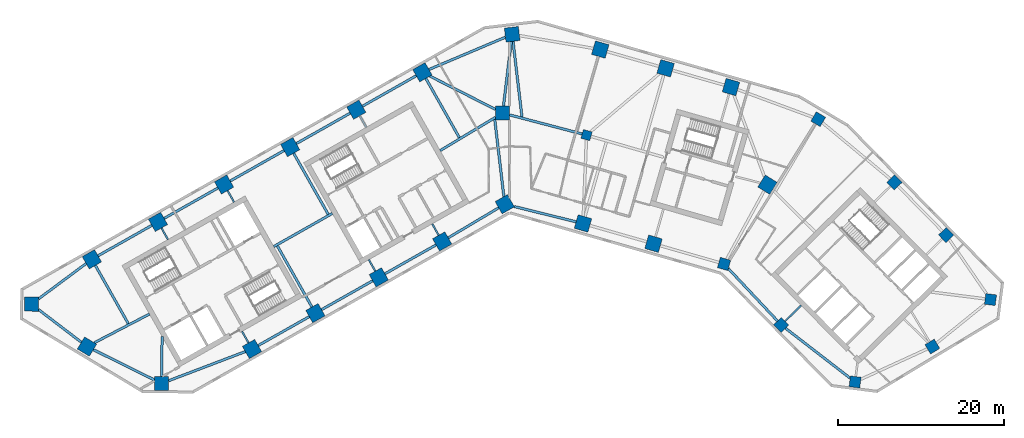
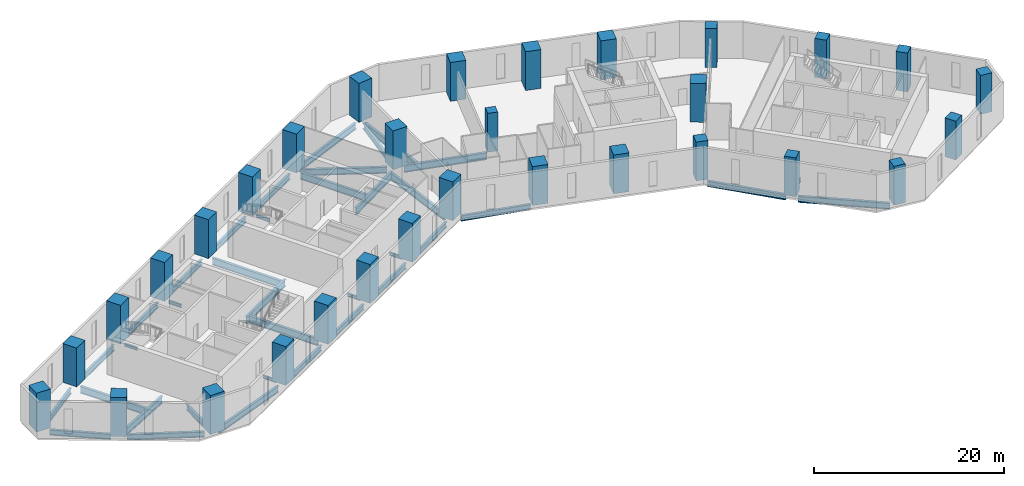
# One storey, part 1 of 10: 37 beams, 31 columns.
"""IFC4 building model written with IfcOpenShell, lengths in metres."""

from ifc_helpers import new_model, si_unit, direction, frame, origin, origin_2d, place, context, subcontext, project, spatial, rectangle, i_section, extrude, material, material_profile, profile_set, type_object, element, save


model = new_model("IFC4")

# Units and contexts
model_context = context("Model", 3, precision=1e-05, world=origin(), true_north=direction((0.0, 1.0)))
body_context = subcontext(model_context, "Body", "Model", "MODEL_VIEW")
ifc_project = project(units=[si_unit("LENGTHUNIT", "METRE"), si_unit("AREAUNIT", "SQUARE_METRE"), si_unit("VOLUMEUNIT", "CUBIC_METRE"), si_unit("PLANEANGLEUNIT", "RADIAN"), si_unit("MASSUNIT", "GRAM", prefix="KILO")], contexts=[model_context])

# Site, building, storey
site_placement = place(None, origin())
site = spatial("IfcSite", under=ifc_project, at=site_placement, CompositionType="ELEMENT")
building_placement = place(site_placement, origin())
building = spatial("IfcBuilding", under=site, at=building_placement, Name="Binnacle Exchange Tower", CompositionType="ELEMENT")
storey_placement = place(building_placement, frame((0.0, 0.0, 81.5)))
storey = spatial("IfcBuildingStorey", under=building, at=storey_placement, Name="L16", CompositionType="ELEMENT", Elevation=81.5)

# Columns
ifc_material_1 = material(Name="Concrete C60/75", Category="concrete")
ifc_material_profile_1 = material_profile(ifc_material_1, rectangle(XDim=1.10009765625, YDim=1.10009765625, at=origin_2d()), Name="Column 1100x1100 C60/75")
ifc_profile_set_1 = profile_set([ifc_material_profile_1], Name="Concrete C60/75")
column_type_1 = type_object("IfcColumnType", Name="Column 1100x1100 C60/75", PredefinedType="COLUMN", material=ifc_profile_set_1)
column_placement = place(storey_placement, frame((9.240966796875, 57.35009765625, 0.0), z_axis=(0.0, 0.0, 1.0), x_axis=(0.961261695938, -0.275637355817, 0.0)))
element("IfcColumn", 1, at=column_placement, inside=storey, type_object=column_type_1, Name="S:COL:C19:L16", PredefinedType="COLUMN", context=body_context, shape_type="SweptSolid", body=[
    extrude(rectangle(XDim=1.10009765625, YDim=1.10009765625, at=origin_2d()), origin(), (0.0, 0.0, 1.0), 5.0),
])
ifc_material_2 = material(Name="Concrete C70/85", Category="concrete")
ifc_material_profile_2 = material_profile(ifc_material_2, rectangle(XDim=1.300048828125, YDim=1.300048828125, at=origin_2d()), Name="Mega column 1300x1300 C70/85")
ifc_profile_set_2 = profile_set([ifc_material_profile_2], Name="Concrete C70/85")
column_type_2 = type_object("IfcColumnType", Name="Mega column 1300x1300 C70/85", PredefinedType="COLUMN", material=ifc_profile_set_2)
for number, where, z_axis, x_axis, name in (
    (2, (37.0849609375, 59.262451171875, 0.0), (0.0, 0.0, 1.0), (-0.859406411501, 0.511293086077, 0.0), "S:COL:MC57:L16"),
    (3, (25.766845703125, 41.85986328125, 0.0), (0.0, 0.0, 1.0), (0.961261695938, -0.275637355817, 0.0), "S:COL:MC56:L16"),
    (4, (32.64111328125, 34.530029296875, 0.0), (0.0, 0.0, 1.0), (0.7009092643, -0.713250449154, 0.0), "S:COL:MC59:L16"),
    (5, (41.519775390625, 27.6748046875, 0.0), (0.0, 0.0, 1.0), (0.99200494968, -0.126198969136, 0.0), "S:COL:MC61:L16"),
    (6, (50.81201171875, 31.930908203125, 0.0), (0.0, 0.0, 1.0), (0.857167300702, 0.51503807491, 0.0), "S:COL:MC63:L16"),
    (7, (57.799072265625, 37.5810546875, 0.0), (0.0, 0.0, 1.0), (0.126198969136, 0.99200494968, 0.0), "S:COL:MC62:L16"),
    (8, (52.466796875, 45.33935546875, 0.0), (0.0, 0.0, 1.0), (-0.7009092643, 0.713250449154, 0.0), "S:COL:MC60:L16"),
    (9, (46.248291015625, 51.667236328125, 0.0), (0.0, 0.0, 1.0), (-0.7009092643, 0.713250449154, 0.0), "S:COL:MC58:L16"),
):
    element("IfcColumn", number, at=place(storey_placement, frame(where, z_axis=z_axis, x_axis=x_axis)), inside=storey, type_object=column_type_2, Name=name, PredefinedType="COLUMN", context=body_context, shape_type="SweptSolid", body=[
        extrude(rectangle(XDim=1.300048828125, YDim=1.300048828125, at=origin_2d()), origin(), (0.0, 0.0, 1.0), 5.0),
    ])
ifc_material_profile_3 = material_profile(ifc_material_2, rectangle(XDim=1.699951171875, YDim=1.699951171875, at=origin_2d()), Name="Mega column 1700x1700 C70/85")
ifc_profile_set_3 = profile_set([ifc_material_profile_3], Name="Concrete C70/85")
column_type_3 = type_object("IfcColumnType", Name="Mega column 1700x1700 C70/85", PredefinedType="COLUMN", material=ifc_profile_set_3)
for number, where, z_axis, x_axis, name in (
    (10, (26.602783203125, 63.12353515625, 0.0), (0.0, 0.0, 1.0), (-0.961261695938, 0.275637355817, 0.0), "S:COL:MC52:L16"),
    (11, (18.746337890625, 65.376220703125, 0.0), (0.0, 0.0, 1.0), (-0.961261695938, 0.275637355817, 0.0), "S:COL:MC50:L16"),
    (12, (10.889892578125, 67.62890625, 0.0), (0.0, 0.0, 1.0), (-0.961261695938, 0.275637355817, 0.0), "S:COL:MC48:L16"),
    (13, (0.300048828125, 69.464111328125, 0.0), (0.0, 0.0, 1.0), (-0.993068456955, -0.117537397458, 0.0), "S:COL:MC47:L16"),
    (14, (-10.4951171875, 64.901611328125, 0.0), (0.0, 0.0, 1.0), (-0.87035569594, -0.492423560103, 0.0), "S:COL:MC38:L16"),
    (15, (-18.44140625, 60.406005859375, 0.0), (0.0, 0.0, 1.0), (-0.87035569594, -0.492423560103, 0.0), "S:COL:MC29:L16"),
    (16, (-26.3876953125, 55.91015625, 0.0), (0.0, 0.0, 1.0), (-0.87035569594, -0.492423560103, 0.0), "S:COL:MC21:L16"),
    (17, (-34.333740234375, 51.414306640625, 0.0), (0.0, 0.0, 1.0), (-0.87035569594, -0.492423560103, 0.0), "S:COL:MC13:L16"),
    (18, (-42.280029296875, 46.918701171875, 0.0), (0.0, 0.0, 1.0), (-0.87035569594, -0.492423560103, 0.0), "S:COL:MC08:L16"),
    (19, (-50.226318359375, 42.4228515625, 0.0), (0.0, 0.0, 1.0), (-0.87035569594, -0.492423560103, 0.0), "S:COL:MC04:L16"),
    (20, (-57.492919921875, 37.02734375, 0.0), (0.0, 0.0, 1.0), (-0.013089595571, -0.999914327574, 0.0), "S:COL:MC02:L16"),
    (21, (-50.81201171875, 31.930908203125, 0.0), (0.0, 0.0, 1.0), (0.857167300702, -0.51503807491, 0.0), "S:COL:MC01:L16"),
    (22, (-41.857666015625, 27.494873046875, 0.0), (0.0, 0.0, 1.0), (0.999914327574, -0.013089595571, 0.0), "S:COL:MC03:L16"),
    (23, (-30.9755859375, 31.63525390625, 0.0), (0.0, 0.0, 1.0), (0.87035569594, 0.492423560103, 0.0), "S:COL:MC07:L16"),
    (24, (-23.35595703125, 35.9462890625, 0.0), (0.0, 0.0, 1.0), (0.87035569594, 0.492423560103, 0.0), "S:COL:MC16:L16"),
    (25, (-15.736328125, 40.257080078125, 0.0), (0.0, 0.0, 1.0), (0.87035569594, 0.492423560103, 0.0), "S:COL:MC24:L16"),
    (26, (-8.116943359375, 44.568115234375, 0.0), (0.0, 0.0, 1.0), (0.87035569594, 0.492423560103, 0.0), "S:COL:MC35:L16"),
    (27, (-0.5908203125, 49.04443359375, 0.0), (0.0, 0.0, 1.0), (0.87035569594, 0.492423560103, 0.0), "S:COL:MC46:L16"),
    (28, (8.8095703125, 46.722412109375, 0.0), (0.0, 0.0, 1.0), (0.961261695938, -0.275637355817, 0.0), "S:COL:MC49:L16"),
    (29, (17.2880859375, 44.291015625, 0.0), (0.0, 0.0, 1.0), (0.961261695938, -0.275637355817, 0.0), "S:COL:MC51:L16"),
    (30, (30.989501953125, 51.38623046875, 0.0), (0.0, 0.0, 1.0), (0.529919264233, 0.848048096156, 0.0), "S:COL:MC55:L16"),
    (31, (-0.85009765625, 60.0, 0.0), (0.0, 0.0, 1.0), (0.0, 1.0, 0.0), "S:COL:MC45:L16"),
):
    element("IfcColumn", number, at=place(storey_placement, frame(where, z_axis=z_axis, x_axis=x_axis)), inside=storey, type_object=column_type_3, Name=name, PredefinedType="COLUMN", context=body_context, shape_type="SweptSolid", body=[
        extrude(rectangle(XDim=1.699951171875, YDim=1.699951171875, at=origin_2d()), origin(), (0.0, 0.0, 1.0), 5.0),
    ])

# Beams
ifc_material_3 = material(Name="Steel S355 (SHN355)", Category="steel")
ifc_material_profile_4 = material_profile(ifc_material_3, i_section(OverallWidth=0.300048828125, OverallDepth=0.699951171875, WebThickness=0.012939453125, FlangeThickness=0.02392578125, FilletRadius=0.028076171875, at=origin_2d()), Name="H 700x300x13x24")
ifc_profile_set_4 = profile_set([ifc_material_profile_4], Name="Steel S355 (SHN355)")
beam_type_1 = type_object("IfcBeamType", Name="Edge girder H 700x300x13x24 Steel S355 (SHN355)", PredefinedType="SPANDREL", material=ifc_profile_set_4)
beam_1_placement = place(storey_placement, frame((-56.6513671875, 36.38525390625, -0.669921875), z_axis=(0.795093040263, -0.606487474994, 0.0), x_axis=(0.606487474994, 0.795093040263, 0.0)))
element("IfcBeam", 32, at=beam_1_placement, inside=storey, type_object=beam_type_1, Name="S:BM:edge:L16:015", PredefinedType="SPANDREL", context=body_context, shape_type="SweptSolid", body=[
    extrude(i_section(OverallWidth=0.300048828125, OverallDepth=0.699951171875, WebThickness=0.012939453125, FlangeThickness=0.02392578125, FilletRadius=0.028076171875, at=origin_2d()), origin(), (0.0, 0.0, 1.0), 6.489013671875),
])
beam_2_placement = place(storey_placement, frame((-50.913818359375, 41.912353515625, -0.669921875), z_axis=(-0.80288535334, -0.59613346609, 0.0), x_axis=(0.59613346609, -0.80288535334, 0.0)))
element("IfcBeam", 33, at=beam_2_placement, inside=storey, type_object=beam_type_1, Name="S:BM:edge:L16:016", PredefinedType="SPANDREL", context=body_context, shape_type="SweptSolid", body=[
    extrude(i_section(OverallWidth=0.300048828125, OverallDepth=0.699951171875, WebThickness=0.012939453125, FlangeThickness=0.02392578125, FilletRadius=0.028076171875, at=origin_2d()), origin(), (0.0, 0.0, 1.0), 7.125244140625),
])
beam_3_placement = place(storey_placement, frame((-43.019775390625, 46.5, -0.669921875), z_axis=(-0.870364477798, -0.492408037898, 0.0), x_axis=(0.492408037898, -0.870364477798, 0.0)))
element("IfcBeam", 34, at=beam_3_placement, inside=storey, type_object=beam_type_1, Name="S:BM:edge:L16:018", PredefinedType="SPANDREL", context=body_context, shape_type="SweptSolid", body=[
    extrude(i_section(OverallWidth=0.300048828125, OverallDepth=0.699951171875, WebThickness=0.012939453125, FlangeThickness=0.02392578125, FilletRadius=0.028076171875, at=origin_2d()), origin(), (0.0, 0.0, 1.0), 7.4296875),
])
beam_4_placement = place(storey_placement, frame((-35.073486328125, 50.995849609375, -0.669921875), z_axis=(-0.870372444894, -0.492393955253, 0.0), x_axis=(0.492393955253, -0.870372444894, 0.0)))
element("IfcBeam", 35, at=beam_4_placement, inside=storey, type_object=beam_type_1, Name="S:BM:edge:L16:020", PredefinedType="SPANDREL", context=body_context, shape_type="SweptSolid", body=[
    extrude(i_section(OverallWidth=0.300048828125, OverallDepth=0.699951171875, WebThickness=0.012939453125, FlangeThickness=0.02392578125, FilletRadius=0.028076171875, at=origin_2d()), origin(), (0.0, 0.0, 1.0), 7.429931640625),
])
beam_5_placement = place(storey_placement, frame((-30.23583984375, 32.053955078125, -0.669921875), z_axis=(0.870373276953, 0.492392484473, 0.0), x_axis=(-0.492392484473, 0.870373276953, 0.0)))
element("IfcBeam", 36, at=beam_5_placement, inside=storey, type_object=beam_type_1, Name="S:BM:edge:L16:021", PredefinedType="SPANDREL", context=body_context, shape_type="SweptSolid", body=[
    extrude(i_section(OverallWidth=0.300048828125, OverallDepth=0.699951171875, WebThickness=0.012939453125, FlangeThickness=0.02392578125, FilletRadius=0.028076171875, at=origin_2d()), origin(), (0.0, 0.0, 1.0), 7.0546875),
])
beam_6_placement = place(storey_placement, frame((-27.12744140625, 55.49169921875, -0.669921875), z_axis=(-0.870350394687, -0.492432929919, 0.0), x_axis=(0.492432929919, -0.870350394687, 0.0)))
element("IfcBeam", 37, at=beam_6_placement, inside=storey, type_object=beam_type_1, Name="S:BM:edge:L16:022", PredefinedType="SPANDREL", context=body_context, shape_type="SweptSolid", body=[
    extrude(i_section(OverallWidth=0.300048828125, OverallDepth=0.699951171875, WebThickness=0.012939453125, FlangeThickness=0.02392578125, FilletRadius=0.028076171875, at=origin_2d()), origin(), (0.0, 0.0, 1.0), 7.429931640625),
])
beam_7_placement = place(storey_placement, frame((-22.6162109375, 36.36474609375, -0.669921875), z_axis=(0.870350053651, 0.492433532681, 0.0), x_axis=(-0.492433532681, 0.870350053651, 0.0)))
element("IfcBeam", 38, at=beam_7_placement, inside=storey, type_object=beam_type_1, Name="S:BM:edge:L16:023", PredefinedType="SPANDREL", context=body_context, shape_type="SweptSolid", body=[
    extrude(i_section(OverallWidth=0.300048828125, OverallDepth=0.699951171875, WebThickness=0.012939453125, FlangeThickness=0.02392578125, FilletRadius=0.028076171875, at=origin_2d()), origin(), (0.0, 0.0, 1.0), 7.054443359375),
])
beam_8_placement = place(storey_placement, frame((-19.18115234375, 59.9873046875, -0.669921875), z_axis=(-0.870364477798, -0.492408037898, 0.0), x_axis=(0.492408037898, -0.870364477798, 0.0)))
element("IfcBeam", 39, at=beam_8_placement, inside=storey, type_object=beam_type_1, Name="S:BM:edge:L16:024", PredefinedType="SPANDREL", context=body_context, shape_type="SweptSolid", body=[
    extrude(i_section(OverallWidth=0.300048828125, OverallDepth=0.699951171875, WebThickness=0.012939453125, FlangeThickness=0.02392578125, FilletRadius=0.028076171875, at=origin_2d()), origin(), (0.0, 0.0, 1.0), 7.4296875),
])
beam_9_placement = place(storey_placement, frame((-14.99658203125, 40.67578125, -0.669921875), z_axis=(0.870364886025, 0.492407316329, 0.0), x_axis=(-0.492407316329, 0.870364886025, 0.0)))
element("IfcBeam", 40, at=beam_9_placement, inside=storey, type_object=beam_type_1, Name="S:BM:edge:L16:025", PredefinedType="SPANDREL", context=body_context, shape_type="SweptSolid", body=[
    extrude(i_section(OverallWidth=0.300048828125, OverallDepth=0.699951171875, WebThickness=0.012939453125, FlangeThickness=0.02392578125, FilletRadius=0.028076171875, at=origin_2d()), origin(), (0.0, 0.0, 1.0), 7.054443359375),
])
beam_10_placement = place(storey_placement, frame((-11.23486328125, 64.483154296875, -0.669921875), z_axis=(-0.870364477798, -0.492408037898, 0.0), x_axis=(0.492408037898, -0.870364477798, 0.0)))
element("IfcBeam", 41, at=beam_10_placement, inside=storey, type_object=beam_type_1, Name="S:BM:edge:L16:026", PredefinedType="SPANDREL", context=body_context, shape_type="SweptSolid", body=[
    extrude(i_section(OverallWidth=0.300048828125, OverallDepth=0.699951171875, WebThickness=0.012939453125, FlangeThickness=0.02392578125, FilletRadius=0.028076171875, at=origin_2d()), origin(), (0.0, 0.0, 1.0), 7.4296875),
])
beam_11_placement = place(storey_placement, frame((-7.38623046875, 45.002685546875, -0.669921875), z_axis=(0.859464815262, 0.511194905419, 0.0), x_axis=(-0.511194905419, 0.859464815262, 0.0)))
element("IfcBeam", 42, at=beam_11_placement, inside=storey, type_object=beam_type_1, Name="S:BM:edge:L16:027", PredefinedType="SPANDREL", context=body_context, shape_type="SweptSolid", body=[
    extrude(i_section(OverallWidth=0.300048828125, OverallDepth=0.699951171875, WebThickness=0.012939453125, FlangeThickness=0.02392578125, FilletRadius=0.028076171875, at=origin_2d()), origin(), (0.0, 0.0, 1.0), 7.056396484375),
])
beam_12_placement = place(storey_placement, frame((0.54443359375, 48.763916015625, -0.669921875), z_axis=(0.970818997342, -0.239813415805, 0.0), x_axis=(0.239813415805, 0.970818997342, 0.0)))
element("IfcBeam", 43, at=beam_12_placement, inside=storey, type_object=beam_type_1, Name="S:BM:edge:L16:029", PredefinedType="SPANDREL", context=body_context, shape_type="SweptSolid", body=[
    extrude(i_section(OverallWidth=0.300048828125, OverallDepth=0.699951171875, WebThickness=0.012939453125, FlangeThickness=0.02392578125, FilletRadius=0.028076171875, at=origin_2d()), origin(), (0.0, 0.0, 1.0), 7.662841796875),
])
ifc_material_profile_5 = material_profile(ifc_material_3, i_section(OverallWidth=0.302001953125, OverallDepth=0.7080078125, WebThickness=0.014892578125, FlangeThickness=0.028076171875, FilletRadius=0.028076171875, at=origin_2d()), Name="H 708x302x15x28")
ifc_profile_set_5 = profile_set([ifc_material_profile_5], Name="Steel S355 (SHN355)")
beam_type_2 = type_object("IfcBeamType", Name="Edge girder H 708x302x15x28 Steel S355 (SHN355)", PredefinedType="SPANDREL", material=ifc_profile_set_5)
beam_13_placement = place(storey_placement, frame((-50.0478515625, 31.55224609375, -0.674072265625), z_axis=(0.896059216286, -0.443934545749, 0.0), x_axis=(0.443934545749, 0.896059216286, 0.0)))
element("IfcBeam", 44, at=beam_13_placement, inside=storey, type_object=beam_type_2, Name="S:BM:edge:L16:017", PredefinedType="SPANDREL", context=body_context, shape_type="SweptSolid", body=[
    extrude(i_section(OverallWidth=0.302001953125, OverallDepth=0.7080078125, WebThickness=0.014892578125, FlangeThickness=0.028076171875, FilletRadius=0.028076171875, at=origin_2d()), origin(), (0.0, 0.0, 1.0), 8.197509765625),
])
beam_14_placement = place(storey_placement, frame((26.284912109375, 41.3076171875, -0.674072265625), z_axis=(0.684056711164, -0.729428828544, 0.0), x_axis=(0.729428828544, 0.684056711164, 0.0)))
element("IfcBeam", 45, at=beam_14_placement, inside=storey, type_object=beam_type_2, Name="S:BM:edge:L16:035", PredefinedType="SPANDREL", context=body_context, shape_type="SweptSolid", body=[
    extrude(i_section(OverallWidth=0.302001953125, OverallDepth=0.7080078125, WebThickness=0.014892578125, FlangeThickness=0.028076171875, FilletRadius=0.028076171875, at=origin_2d()), origin(), (0.0, 0.0, 1.0), 8.6416015625),
])
ifc_material_profile_6 = material_profile(ifc_material_3, i_section(OverallWidth=0.302001953125, OverallDepth=0.80810546875, WebThickness=0.01611328125, FlangeThickness=0.030029296875, FilletRadius=0.028076171875, at=origin_2d()), Name="H 808x302x16x30")
ifc_profile_set_6 = profile_set([ifc_material_profile_6], Name="Steel S355 (SHN355)")
beam_type_3 = type_object("IfcBeamType", Name="Edge girder H 808x302x16x30 Steel S355 (SHN355)", PredefinedType="SPANDREL", material=ifc_profile_set_6)
beam_15_placement = place(storey_placement, frame((-41.00341796875, 27.81982421875, -0.72412109375), z_axis=(0.934628738252, 0.355624973297, 0.0), x_axis=(-0.355624973297, 0.934628738252, 0.0)))
element("IfcBeam", 46, at=beam_15_placement, inside=storey, type_object=beam_type_3, Name="S:BM:edge:L16:019", PredefinedType="SPANDREL", context=body_context, shape_type="SweptSolid", body=[
    extrude(i_section(OverallWidth=0.302001953125, OverallDepth=0.80810546875, WebThickness=0.01611328125, FlangeThickness=0.030029296875, FilletRadius=0.028076171875, at=origin_2d()), origin(), (0.0, 0.0, 1.0), 9.869384765625),
])
beam_16_placement = place(storey_placement, frame((-0.51513671875, 69.11962890625, -0.72412109375), z_axis=(-0.921111373297, -0.389299162578, 0.0), x_axis=(0.389299162578, -0.921111373297, 0.0)))
element("IfcBeam", 47, at=beam_16_placement, inside=storey, type_object=beam_type_3, Name="S:BM:edge:L16:028", PredefinedType="SPANDREL", context=body_context, shape_type="SweptSolid", body=[
    extrude(i_section(OverallWidth=0.302001953125, OverallDepth=0.80810546875, WebThickness=0.01611328125, FlangeThickness=0.030029296875, FilletRadius=0.028076171875, at=origin_2d()), origin(), (0.0, 0.0, 1.0), 9.978759765625),
])
beam_17_placement = place(storey_placement, frame((33.160400390625, 34.12890625, -0.72412109375), z_axis=(0.791533490776, -0.611125791454, 0.0), x_axis=(0.611125791454, 0.791533490776, 0.0)))
element("IfcBeam", 48, at=beam_17_placement, inside=storey, type_object=beam_type_3, Name="S:BM:edge:L16:036", PredefinedType="SPANDREL", context=body_context, shape_type="SweptSolid", body=[
    extrude(i_section(OverallWidth=0.302001953125, OverallDepth=0.80810546875, WebThickness=0.01611328125, FlangeThickness=0.030029296875, FilletRadius=0.028076171875, at=origin_2d()), origin(), (0.0, 0.0, 1.0), 9.80712890625),
])
ifc_material_profile_7 = material_profile(ifc_material_3, i_section(OverallWidth=0.199951171875, OverallDepth=0.39990234375, WebThickness=0.008056640625, FlangeThickness=0.012939453125, FilletRadius=0.01611328125, at=origin_2d()), Name="H 400x200x8x13")
ifc_profile_set_7 = profile_set([ifc_material_profile_7], Name="Steel S355 (SHN355)")
beam_type_4 = type_object("IfcBeamType", Name="Floor beam H 400x200x8x13 Steel S355 (SHN355)", PredefinedType="BEAM", material=ifc_profile_set_7)
beam_18_placement = place(storey_placement, frame((-41.861328125, 46.178955078125, -0.52001953125), z_axis=(0.492366981934, -0.870387703901, 0.0), x_axis=(0.870387703901, 0.492366981934, 0.0)))
element("IfcBeam", 49, at=beam_18_placement, inside=storey, type_object=beam_type_4, Name="S:BM:cross:L16:044", PredefinedType="BEAM", context=body_context, shape_type="SweptSolid", body=[
    extrude(i_section(OverallWidth=0.199951171875, OverallDepth=0.39990234375, WebThickness=0.008056640625, FlangeThickness=0.012939453125, FilletRadius=0.01611328125, at=origin_2d()), origin(), (0.0, 0.0, 1.0), 1.584228515625),
])
beam_19_placement = place(storey_placement, frame((-33.915283203125, 50.674560546875, -0.52001953125), z_axis=(0.492483715062, -0.870321659158, 0.0), x_axis=(0.870321659158, 0.492483715062, 0.0)))
element("IfcBeam", 50, at=beam_19_placement, inside=storey, type_object=beam_type_4, Name="S:BM:cross:L16:046", PredefinedType="BEAM", context=body_context, shape_type="SweptSolid", body=[
    extrude(i_section(OverallWidth=0.199951171875, OverallDepth=0.39990234375, WebThickness=0.008056640625, FlangeThickness=0.012939453125, FilletRadius=0.01611328125, at=origin_2d()), origin(), (0.0, 0.0, 1.0), 1.58447265625),
])
for number, where, z_axis, x_axis, name in (
    (51, (-31.394287109375, 32.375, -0.52001953125), (-0.492366981934, 0.870387703901, 0.0), (-0.870387703901, -0.492366981934, 0.0), "S:BM:cross:L16:047"),
    (52, (-18.022705078125, 59.666259765625, -0.52001953125), (0.492366981934, -0.870387703901, 0.0), (0.870387703901, 0.492366981934, 0.0), "S:BM:cross:L16:050"),
    (53, (-16.155029296875, 40.9970703125, -0.52001953125), (-0.492366981934, 0.870387703901, 0.0), (-0.870387703901, -0.492366981934, 0.0), "S:BM:cross:L16:051"),
):
    element("IfcBeam", number, at=place(storey_placement, frame(where, z_axis=z_axis, x_axis=x_axis)), inside=storey, type_object=beam_type_4, Name=name, PredefinedType="BEAM", context=body_context, shape_type="SweptSolid", body=[
        extrude(i_section(OverallWidth=0.199951171875, OverallDepth=0.39990234375, WebThickness=0.008056640625, FlangeThickness=0.012939453125, FilletRadius=0.01611328125, at=origin_2d()), origin(), (0.0, 0.0, 1.0), 1.584228515625),
    ])
beam_20_placement = place(storey_placement, frame((-8.535400390625, 45.307861328125, -0.52001953125), z_axis=(-0.492483715062, 0.870321659158, 0.0), x_axis=(-0.870321659158, -0.492483715062, 0.0)))
element("IfcBeam", 54, at=beam_20_placement, inside=storey, type_object=beam_type_4, Name="S:BM:cross:L16:053", PredefinedType="BEAM", context=body_context, shape_type="SweptSolid", body=[
    extrude(i_section(OverallWidth=0.199951171875, OverallDepth=0.39990234375, WebThickness=0.008056640625, FlangeThickness=0.012939453125, FilletRadius=0.01611328125, at=origin_2d()), origin(), (0.0, 0.0, 1.0), 1.58447265625),
])
ifc_material_profile_8 = material_profile(ifc_material_3, i_section(OverallWidth=0.199951171875, OverallDepth=0.449951171875, WebThickness=0.009033203125, FlangeThickness=0.013916015625, FilletRadius=0.01806640625, at=origin_2d()), Name="H 450x200x9x14")
ifc_profile_set_8 = profile_set([ifc_material_profile_8], Name="Steel S355 (SHN355)")
beam_type_5 = type_object("IfcBeamType", Name="Floor beam H 450x200x9x14 Steel S355 (SHN355)", PredefinedType="BEAM", material=ifc_profile_set_8)
beam_21_placement = place(storey_placement, frame((33.104736328125, 34.985595703125, -0.544921875), z_axis=(0.713254209224, 0.700905438004, 0.0), x_axis=(-0.700905438004, 0.713254209224, 0.0)))
element("IfcBeam", 55, at=beam_21_placement, inside=storey, type_object=beam_type_5, Name="S:BM:cross:L16:061", PredefinedType="BEAM", context=body_context, shape_type="SweptSolid", body=[
    extrude(i_section(OverallWidth=0.199951171875, OverallDepth=0.449951171875, WebThickness=0.009033203125, FlangeThickness=0.013916015625, FilletRadius=0.01806640625, at=origin_2d()), origin(), (0.0, 0.0, 1.0), 2.70849609375),
])
ifc_material_profile_9 = material_profile(ifc_material_3, i_section(OverallWidth=0.300048828125, OverallDepth=0.699951171875, WebThickness=0.012939453125, FlangeThickness=0.02392578125, FilletRadius=0.028076171875, at=origin_2d()), Name="H 700x300x13x24")
ifc_profile_set_9 = profile_set([ifc_material_profile_9], Name="Steel S355 (SHN355)")
beam_type_6 = type_object("IfcBeamType", Name="Floor beam H 700x300x13x24 Steel S355 (SHN355)", PredefinedType="BEAM", material=ifc_profile_set_9)
beam_22_placement = place(storey_placement, frame((-41.8466796875, 28.3447265625, -0.669921875), z_axis=(0.013120628196, 0.999913920853, 0.0), x_axis=(-0.999913920853, 0.013120628196, 0.0)))
element("IfcBeam", 56, at=beam_22_placement, inside=storey, type_object=beam_type_6, Name="S:BM:cross:L16:045", PredefinedType="BEAM", context=body_context, shape_type="SweptSolid", body=[
    extrude(i_section(OverallWidth=0.300048828125, OverallDepth=0.699951171875, WebThickness=0.012939453125, FlangeThickness=0.02392578125, FilletRadius=0.028076171875, at=origin_2d()), origin(), (0.0, 0.0, 1.0), 4.80078125),
])
ifc_material_profile_10 = material_profile(ifc_material_3, i_section(OverallWidth=0.300048828125, OverallDepth=0.89990234375, WebThickness=0.01611328125, FlangeThickness=0.028076171875, FilletRadius=0.028076171875, at=origin_2d()), Name="H 900x300x16x28")
ifc_profile_set_10 = profile_set([ifc_material_profile_10], Name="Steel S355 (SHN355)")
beam_type_7 = type_object("IfcBeamType", Name="Floor beam H 900x300x16x28 Steel S355 (SHN355)", PredefinedType="BEAM", material=ifc_profile_set_10)
beam_23_placement = place(storey_placement, frame((-49.8076171875, 41.68310546875, -0.77001953125), z_axis=(0.492423370769, -0.87035580306, 0.0), x_axis=(0.87035580306, 0.492423370769, 0.0)))
element("IfcBeam", 57, at=beam_23_placement, inside=storey, type_object=beam_type_7, Name="S:BM:cross:L16:043", PredefinedType="BEAM", context=body_context, shape_type="SweptSolid", body=[
    extrude(i_section(OverallWidth=0.300048828125, OverallDepth=0.89990234375, WebThickness=0.01611328125, FlangeThickness=0.028076171875, FilletRadius=0.028076171875, at=origin_2d()), origin(), (0.0, 0.0, 1.0), 8.041259765625),
])
beam_24_placement = place(storey_placement, frame((-10.076416015625, 64.161865234375, -0.77001953125), z_axis=(0.492410737926, -0.870362950254, 0.0), x_axis=(0.870362950254, 0.492410737926, 0.0)))
element("IfcBeam", 58, at=beam_24_placement, inside=storey, type_object=beam_type_7, Name="S:BM:cross:L16:052", PredefinedType="BEAM", context=body_context, shape_type="SweptSolid", body=[
    extrude(i_section(OverallWidth=0.300048828125, OverallDepth=0.89990234375, WebThickness=0.01611328125, FlangeThickness=0.028076171875, FilletRadius=0.028076171875, at=origin_2d()), origin(), (0.0, 0.0, 1.0), 8.16943359375),
])
ifc_material_profile_11 = material_profile(ifc_material_3, i_section(OverallWidth=0.302001953125, OverallDepth=0.912109375, WebThickness=0.01806640625, FlangeThickness=0.033935546875, FilletRadius=0.028076171875, at=origin_2d()), Name="H 912x302x18x34")
ifc_profile_set_11 = profile_set([ifc_material_profile_11], Name="Steel S355 (SHN355)")
beam_type_8 = type_object("IfcBeamType", Name="Floor beam H 912x302x18x34 Steel S355 (SHN355)", PredefinedType="BEAM", material=ifc_profile_set_11)
for number, where, z_axis, x_axis, name in (
    (59, (-25.968994140625, 55.17041015625, -0.77587890625), (0.492409177884, -0.870363832851, 0.0), (0.870363832851, 0.492409177884, 0.0), "S:BM:cross:L16:048"),
    (60, (-23.774658203125, 36.68603515625, -0.77587890625), (-0.492409177884, 0.870363832851, 0.0), (-0.870363832851, -0.492409177884, 0.0), "S:BM:cross:L16:049"),
):
    element("IfcBeam", number, at=place(storey_placement, frame(where, z_axis=z_axis, x_axis=x_axis)), inside=storey, type_object=beam_type_8, Name=name, PredefinedType="BEAM", context=body_context, shape_type="SweptSolid", body=[
        extrude(i_section(OverallWidth=0.302001953125, OverallDepth=0.912109375, WebThickness=0.01806640625, FlangeThickness=0.033935546875, FilletRadius=0.028076171875, at=origin_2d()), origin(), (0.0, 0.0, 1.0), 8.43408203125),
    ])
ifc_material_profile_12 = material_profile(ifc_material_3, i_section(OverallWidth=0.302978515625, OverallDepth=0.91796875, WebThickness=0.01904296875, FlangeThickness=0.037109375, FilletRadius=0.028076171875, at=origin_2d()), Name="H 918x303x19x37")
ifc_profile_set_12 = profile_set([ifc_material_profile_12], Name="Steel S355 (SHN355)")
beam_type_9 = type_object("IfcBeamType", Name="Floor beam H 918x303x19x37 Steel S355 (SHN355)", PredefinedType="BEAM", material=ifc_profile_set_12)
beam_25_placement = place(storey_placement, frame((-0.69921875, 49.959716796875, -0.779052734375), z_axis=(-0.117528717449, 0.993069484263, 0.0), x_axis=(-0.993069484263, -0.117528717449, 0.0)))
element("IfcBeam", 61, at=beam_25_placement, inside=storey, type_object=beam_type_9, Name="S:BM:cross:L16:054", PredefinedType="BEAM", context=body_context, shape_type="SweptSolid", body=[
    extrude(i_section(OverallWidth=0.302978515625, OverallDepth=0.91796875, WebThickness=0.01904296875, FlangeThickness=0.037109375, FilletRadius=0.028076171875, at=origin_2d()), origin(), (0.0, 0.0, 1.0), 9.374755859375),
])
beam_26_placement = place(storey_placement, frame((0.39990234375, 68.6201171875, -0.779052734375), z_axis=(0.117562643201, -0.993065468599, 0.0), x_axis=(0.993065468599, 0.117562643201, 0.0)))
element("IfcBeam", 62, at=beam_26_placement, inside=storey, type_object=beam_type_9, Name="S:BM:cross:L16:055", PredefinedType="BEAM", context=body_context, shape_type="SweptSolid", body=[
    extrude(i_section(OverallWidth=0.302978515625, OverallDepth=0.91796875, WebThickness=0.01904296875, FlangeThickness=0.037109375, FilletRadius=0.028076171875, at=origin_2d()), origin(), (0.0, 0.0, 1.0), 9.14990234375),
])
ifc_material_profile_13 = material_profile(ifc_material_3, i_section(OverallWidth=0.302001953125, OverallDepth=0.7080078125, WebThickness=0.014892578125, FlangeThickness=0.028076171875, FilletRadius=0.028076171875, at=origin_2d()), Name="H 708x302x15x28")
ifc_profile_set_13 = profile_set([ifc_material_profile_13], Name="Steel S355 (SHN355)")
beam_type_10 = type_object("IfcBeamType", Name="Spine girder H 708x302x15x28 Steel S355 (SHN355)", PredefinedType="BEAM", material=ifc_profile_set_13)
beam_27_placement = place(storey_placement, frame((-0.74658203125, 60.85009765625, -0.674072265625), z_axis=(0.120621974738, 0.992698513755, 0.0), x_axis=(-0.992698513755, 0.120621974738, 0.0)))
element("IfcBeam", 63, at=beam_27_placement, inside=storey, type_object=beam_type_10, Name="S:BM:spine:L16:005", PredefinedType="BEAM", context=body_context, shape_type="SweptSolid", body=[
    extrude(i_section(OverallWidth=0.302001953125, OverallDepth=0.7080078125, WebThickness=0.014892578125, FlangeThickness=0.028076171875, FilletRadius=0.028076171875, at=origin_2d()), origin(), (0.0, 0.0, 1.0), 7.802490234375),
])
ifc_material_profile_14 = material_profile(ifc_material_3, i_section(OverallWidth=0.302001953125, OverallDepth=0.80810546875, WebThickness=0.01611328125, FlangeThickness=0.030029296875, FilletRadius=0.028076171875, at=origin_2d()), Name="H 808x302x16x30")
ifc_profile_set_14 = profile_set([ifc_material_profile_14], Name="Steel S355 (SHN355)")
beam_type_11 = type_object("IfcBeamType", Name="Spine girder H 808x302x16x30 Steel S355 (SHN355)", PredefinedType="BEAM", material=ifc_profile_set_14)
beam_28_placement = place(storey_placement, frame((-1.699951171875, 60.431884765625, -0.72412109375), z_axis=(-0.891471296315, 0.45307717648, 0.0), x_axis=(-0.45307717648, -0.891471296315, 0.0)))
element("IfcBeam", 64, at=beam_28_placement, inside=storey, type_object=beam_type_11, Name="S:BM:spine:L16:004", PredefinedType="BEAM", context=body_context, shape_type="SweptSolid", body=[
    extrude(i_section(OverallWidth=0.302001953125, OverallDepth=0.80810546875, WebThickness=0.01611328125, FlangeThickness=0.030029296875, FilletRadius=0.028076171875, at=origin_2d()), origin(), (0.0, 0.0, 1.0), 8.845703125),
])
ifc_material_profile_15 = material_profile(ifc_material_3, i_section(OverallWidth=0.300048828125, OverallDepth=0.89990234375, WebThickness=0.01611328125, FlangeThickness=0.028076171875, FilletRadius=0.028076171875, at=origin_2d()), Name="H 900x300x16x28")
ifc_profile_set_15 = profile_set([ifc_material_profile_15], Name="Steel S355 (SHN355)")
beam_type_12 = type_object("IfcBeamType", Name="Spine girder H 900x300x16x28 Steel S355 (SHN355)", PredefinedType="BEAM", material=ifc_profile_set_15)
beam_29_placement = place(storey_placement, frame((-49.927734375, 32.391357421875, -0.77001953125), z_axis=(0.886979965344, 0.461807904954, 0.0), x_axis=(-0.461807904954, 0.886979965344, 0.0)))
element("IfcBeam", 65, at=beam_29_placement, inside=storey, type_object=beam_type_12, Name="S:BM:spine:L16:001", PredefinedType="BEAM", context=body_context, shape_type="SweptSolid", body=[
    extrude(i_section(OverallWidth=0.300048828125, OverallDepth=0.89990234375, WebThickness=0.01611328125, FlangeThickness=0.028076171875, FilletRadius=0.028076171875, at=origin_2d()), origin(), (0.0, 0.0, 1.0), 7.463623046875),
])
beam_30_placement = place(storey_placement, frame((-8.36328125, 55.489990234375, -0.77001953125), z_axis=(0.857393122678, 0.514662057261, 0.0), x_axis=(-0.514662057261, 0.857393122678, 0.0)))
element("IfcBeam", 66, at=beam_30_placement, inside=storey, type_object=beam_type_12, Name="S:BM:spine:L16:003", PredefinedType="BEAM", context=body_context, shape_type="SweptSolid", body=[
    extrude(i_section(OverallWidth=0.300048828125, OverallDepth=0.89990234375, WebThickness=0.01611328125, FlangeThickness=0.028076171875, FilletRadius=0.028076171875, at=origin_2d()), origin(), (0.0, 0.0, 1.0), 7.771728515625),
])
ifc_material_profile_16 = material_profile(ifc_material_3, i_section(OverallWidth=0.302001953125, OverallDepth=0.912109375, WebThickness=0.01806640625, FlangeThickness=0.033935546875, FilletRadius=0.028076171875, at=origin_2d()), Name="H 912x302x18x34")
ifc_profile_set_16 = profile_set([ifc_material_profile_16], Name="Steel S355 (SHN355)")
beam_type_13 = type_object("IfcBeamType", Name="Spine girder H 912x302x18x34 Steel S355 (SHN355)", PredefinedType="BEAM", material=ifc_profile_set_16)
beam_31_placement = place(storey_placement, frame((-28.365478515625, 43.951416015625, -0.77587890625), z_axis=(0.870350319004, 0.492433063684, 0.0), x_axis=(-0.492433063684, 0.870350319004, 0.0)))
element("IfcBeam", 67, at=beam_31_placement, inside=storey, type_object=beam_type_13, Name="S:BM:spine:L16:002", PredefinedType="BEAM", context=body_context, shape_type="SweptSolid", body=[
    extrude(i_section(OverallWidth=0.302001953125, OverallDepth=0.912109375, WebThickness=0.01806640625, FlangeThickness=0.033935546875, FilletRadius=0.028076171875, at=origin_2d()), origin(), (0.0, 0.0, 1.0), 8.0908203125),
])
ifc_material_profile_17 = material_profile(ifc_material_3, i_section(OverallWidth=0.302978515625, OverallDepth=0.91796875, WebThickness=0.01904296875, FlangeThickness=0.037109375, FilletRadius=0.028076171875, at=origin_2d()), Name="H 918x303x19x37")
ifc_profile_set_17 = profile_set([ifc_material_profile_17], Name="Steel S355 (SHN355)")
beam_type_14 = type_object("IfcBeamType", Name="Spine girder H 918x303x19x37 Steel S355 (SHN355)", PredefinedType="BEAM", material=ifc_profile_set_17)
beam_32_placement = place(storey_placement, frame((0.0, 59.77685546875, -0.779052734375), z_axis=(0.967208571477, -0.253983423202, 0.0), x_axis=(0.253983423202, 0.967208571477, 0.0)))
element("IfcBeam", 68, at=beam_32_placement, inside=storey, type_object=beam_type_14, Name="S:BM:spine:L16:006", PredefinedType="BEAM", context=body_context, shape_type="SweptSolid", body=[
    extrude(i_section(OverallWidth=0.302978515625, OverallDepth=0.91796875, WebThickness=0.01904296875, FlangeThickness=0.037109375, FilletRadius=0.028076171875, at=origin_2d()), origin(), (0.0, 0.0, 1.0), 9.00390625),
])

save(model, "model.ifc")
